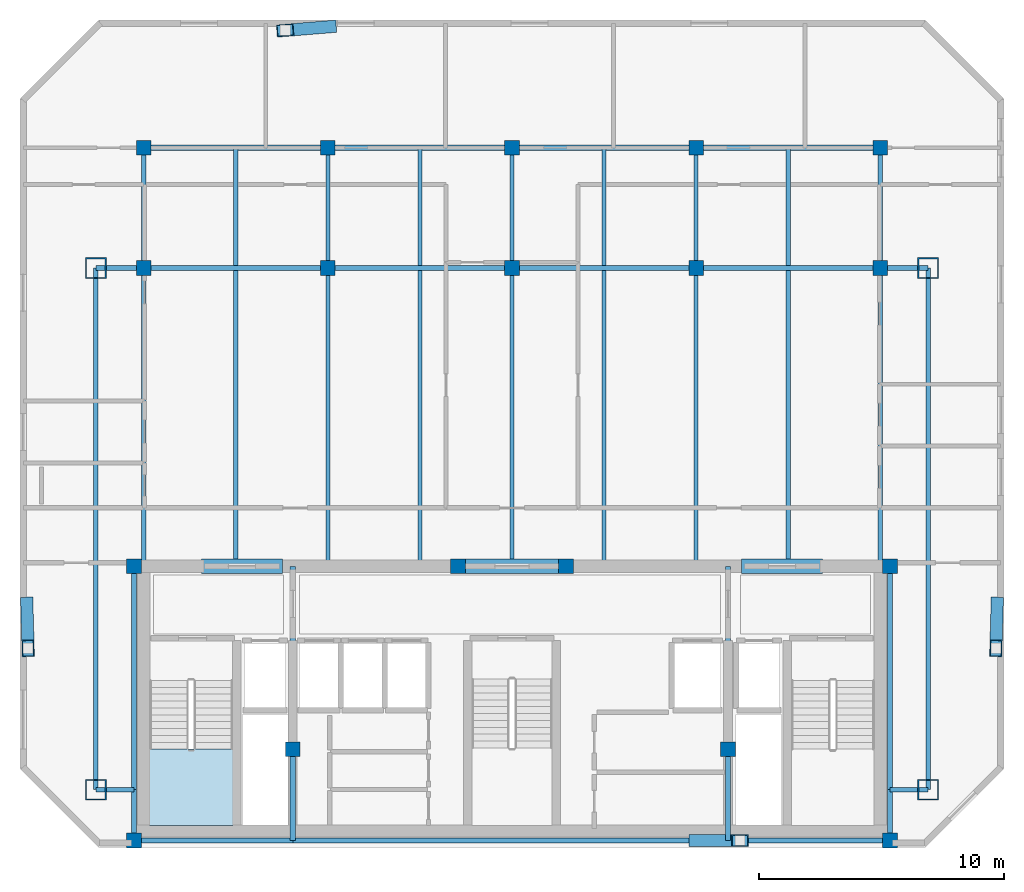
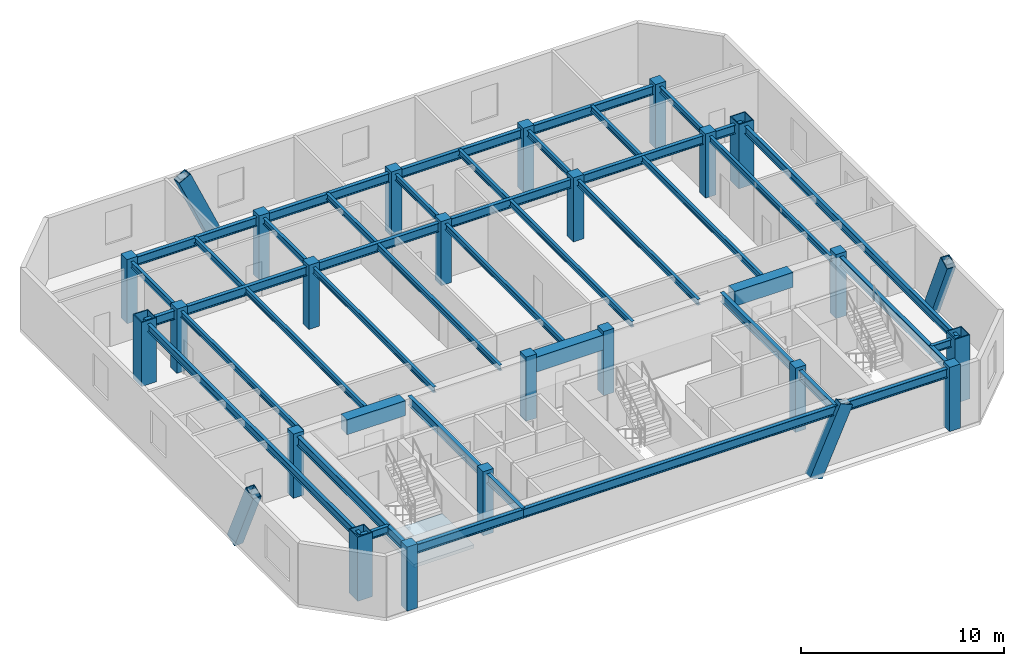
# One storey, part 1 of 6: 46 beams, 22 columns, 4 members, 1 slab, 1 element without a shape of its own.
"""IFC4 building model written with IfcOpenShell, lengths in metres."""

from ifc_helpers import new_model, si_unit, direction, frame, origin, origin_2d, place, context, subcontext, project, spatial, polyline, rectangle, hollow_rectangle, i_section, outline, extrude, material, layer, layer_set, material_profile, profile_set, type_object, element, aggregate, save


model = new_model("IFC4")

# Units and contexts
model_context = context("Model", 3, precision=1e-05, world=origin(), true_north=direction((0.0, 1.0)))
body_context = subcontext(model_context, "Body", "Model", "MODEL_VIEW")
ifc_project = project(units=[si_unit("LENGTHUNIT", "METRE"), si_unit("AREAUNIT", "SQUARE_METRE"), si_unit("VOLUMEUNIT", "CUBIC_METRE"), si_unit("PLANEANGLEUNIT", "RADIAN"), si_unit("MASSUNIT", "GRAM", prefix="KILO")], contexts=[model_context])

# Site, building, storey
site_placement = place(None, origin())
site = spatial("IfcSite", under=ifc_project, at=site_placement, CompositionType="ELEMENT")
building_placement = place(site_placement, origin())
building = spatial("IfcBuilding", under=site, at=building_placement, Name="Ventersveld Concourse Tower", CompositionType="ELEMENT")
storey_placement = place(building_placement, frame((0.0, 0.0, 300.300048828125)))
storey = spatial("IfcBuildingStorey", under=building, at=storey_placement, Name="L74", CompositionType="ELEMENT", Elevation=300.300048828125)

# Columns
ifc_material_1 = material(Name="Concrete C50/60", Category="concrete")
ifc_material_profile_1 = material_profile(ifc_material_1, rectangle(XDim=0.60009765625, YDim=0.60009765625, at=origin_2d()), Name="RC 600x600")
ifc_profile_set_1 = profile_set([ifc_material_profile_1], Name="Concrete C50/60")
column_type_1 = type_object("IfcColumnType", Name="COL-RC600", PredefinedType="COLUMN", material=ifc_profile_set_1)
for number, where, z_axis, x_axis, name in (
    (1, (13.35009765625, 0.280029296875, 0.0), (0.0, 0.0, 1.0), (1.0, 0.0, 0.0), "L74 Core Spine Column CC-SW"),
    (2, (44.14990234375, 0.280029296875, 0.0), (0.0, 0.0, 1.0), (1.0, 0.0, 0.0), "L74 Core Spine Column CC-SE"),
    (3, (13.35009765625, 11.449951171875, 0.0), (0.0, 0.0, 1.0), (1.0, 0.0, 0.0), "L74 Core Spine Column CC-NW"),
    (4, (44.14990234375, 11.449951171875, 0.0), (0.0, 0.0, 1.0), (1.0, 0.0, 0.0), "L74 Core Spine Column CC-NE"),
    (5, (19.820068359375, 4.0, 0.0), (0.0, 0.0, 1.0), (1.0, 0.0, 0.0), "L74 Core Spine Column CM-1"),
    (6, (37.550048828125, 4.0, 0.0), (0.0, 0.0, 1.0), (1.0, 0.0, 0.0), "L74 Core Spine Column CM-2"),
    (7, (26.550048828125, 11.449951171875, 0.0), (0.0, 0.0, 1.0), (1.0, 0.0, 0.0), "L74 Core Spine Column CM-3"),
    (8, (30.949951171875, 11.449951171875, 0.0), (0.0, 0.0, 1.0), (1.0, 0.0, 0.0), "L74 Core Spine Column CM-4"),
    (9, (13.75, 23.60009765625, 0.0), (0.0, 0.0, 1.0), (1.0, 0.0, 0.0), "L74 Interior Gravity Column X=13.75 Y=23.60"),
    (10, (21.25, 23.60009765625, 0.0), (0.0, 0.0, 1.0), (1.0, 0.0, 0.0), "L74 Interior Gravity Column X=21.25 Y=23.60"),
    (11, (28.75, 23.60009765625, 0.0), (0.0, 0.0, 1.0), (1.0, 0.0, 0.0), "L74 Interior Gravity Column X=28.75 Y=23.60"),
    (12, (36.25, 23.60009765625, 0.0), (0.0, 0.0, 1.0), (1.0, 0.0, 0.0), "L74 Interior Gravity Column X=36.25 Y=23.60"),
    (13, (43.75, 23.60009765625, 0.0), (0.0, 0.0, 1.0), (1.0, 0.0, 0.0), "L74 Interior Gravity Column X=43.75 Y=23.60"),
    (14, (13.75, 28.5, 0.0), (0.0, 0.0, 1.0), (1.0, 0.0, 0.0), "L74 Upper-North Gravity Column X=13.75 Y=28.50"),
    (15, (21.25, 28.5, 0.0), (0.0, 0.0, 1.0), (1.0, 0.0, 0.0), "L74 Upper-North Gravity Column X=21.25 Y=28.50"),
    (16, (28.75, 28.5, 0.0), (0.0, 0.0, 1.0), (1.0, 0.0, 0.0), "L74 Upper-North Gravity Column X=28.75 Y=28.50"),
    (17, (36.25, 28.5, 0.0), (0.0, 0.0, 1.0), (1.0, 0.0, 0.0), "L74 Upper-North Gravity Column X=36.25 Y=28.50"),
    (18, (43.75, 28.5, 0.0), (0.0, 0.0, 1.0), (1.0, 0.0, 0.0), "L74 Upper-North Gravity Column X=43.75 Y=28.50"),
):
    element("IfcColumn", number, at=place(storey_placement, frame(where, z_axis=z_axis, x_axis=x_axis)), inside=storey, type_object=column_type_1, Name=name, PredefinedType="COLUMN", context=body_context, shape_type="SweptSolid", body=[
        extrude(rectangle(XDim=0.60009765625, YDim=0.60009765625, at=origin_2d()), origin(), (0.0, 0.0, 1.0), 3.849853515625),
    ])
ifc_material_2 = material(Name="Structural steel S460ML", Category="steel")
ifc_material_profile_2 = material_profile(ifc_material_2, hollow_rectangle(XDim=0.85009765625, YDim=0.85009765625, WallThickness=0.050048828125, at=origin_2d()), Name="BOX 850x850x50")
ifc_profile_set_2 = profile_set([ifc_material_profile_2], Name="Structural steel S460ML")
column_type_2 = type_object("IfcColumnType", Name="MC-850", PredefinedType="USERDEFINED", material=ifc_profile_set_2)
for number, where, z_axis, x_axis, name in (
    (19, (11.800048828125, 2.35009765625, 0.0), (0.0, 0.0, 1.0), (1.0, 0.0, 0.0), "L74 Corner Mega-Column MC-SW"),
    (20, (45.699951171875, 2.35009765625, 0.0), (0.0, 0.0, 1.0), (1.0, 0.0, 0.0), "L74 Corner Mega-Column MC-SE"),
    (21, (45.699951171875, 23.60009765625, 0.0), (0.0, 0.0, 1.0), (1.0, 0.0, 0.0), "L74 Corner Mega-Column MC-NE"),
    (22, (11.800048828125, 23.60009765625, 0.0), (0.0, 0.0, 1.0), (1.0, 0.0, 0.0), "L74 Corner Mega-Column MC-NW"),
):
    element("IfcColumn", number, at=place(storey_placement, frame(where, z_axis=z_axis, x_axis=x_axis)), inside=storey, type_object=column_type_2, Name=name, ObjectType="MEGA_COLUMN", PredefinedType="USERDEFINED", context=body_context, shape_type="SweptSolid", body=[
        extrude(hollow_rectangle(XDim=0.85009765625, YDim=0.85009765625, WallThickness=0.050048828125, at=origin_2d()), origin(), (0.0, 0.0, 1.0), 3.849853515625),
    ])

# Beams
ifc_material_3 = material(Name="Structural steel S355J2", Category="steel")
ifc_material_profile_3 = material_profile(ifc_material_3, i_section(OverallWidth=0.17138671875, OverallDepth=0.35498046875, WebThickness=0.00732421875, FlangeThickness=0.011474609375, FilletRadius=0.01025390625, at=origin_2d()), Name="UB 356x171x51")
ifc_profile_set_3 = profile_set([ifc_material_profile_3], Name="Structural steel S355J2")
beam_type_1 = type_object("IfcBeamType", Name="BM-UB356", PredefinedType="BEAM", material=ifc_profile_set_3)
beam_1_placement = place(storey_placement, frame((13.75, 11.449951171875, 3.472412109375), z_axis=(0.0, 1.0, 0.0), x_axis=(-1.0, 0.0, 0.0)))
element("IfcBeam", 23, at=beam_1_placement, inside=storey, type_object=beam_type_1, Name="L74 N-S Composite Floor Beam South X=13.75", PredefinedType="BEAM", context=body_context, shape_type="SweptSolid", body=[
    extrude(i_section(OverallWidth=0.17138671875, OverallDepth=0.35498046875, WebThickness=0.00732421875, FlangeThickness=0.011474609375, FilletRadius=0.01025390625, at=origin_2d()), origin(), (0.0, 0.0, 1.0), 12.150146484375),
])
beam_2_placement = place(storey_placement, frame((13.75, 23.60009765625, 3.472412109375), z_axis=(0.0, 1.0, 0.0), x_axis=(-1.0, 0.0, 0.0)))
element("IfcBeam", 24, at=beam_2_placement, inside=storey, type_object=beam_type_1, Name="L74 N-S Upper-Zone Floor Beam X=13.75", PredefinedType="BEAM", context=body_context, shape_type="SweptSolid", body=[
    extrude(i_section(OverallWidth=0.17138671875, OverallDepth=0.35498046875, WebThickness=0.00732421875, FlangeThickness=0.011474609375, FilletRadius=0.01025390625, at=origin_2d()), origin(), (0.0, 0.0, 1.0), 4.89990234375),
])
beam_3_placement = place(storey_placement, frame((17.5, 11.449951171875, 3.472412109375), z_axis=(0.0, 1.0, 0.0), x_axis=(-1.0, 0.0, 0.0)))
element("IfcBeam", 25, at=beam_3_placement, inside=storey, type_object=beam_type_1, Name="L74 N-S Composite Floor Beam South X=17.50", PredefinedType="BEAM", context=body_context, shape_type="SweptSolid", body=[
    extrude(i_section(OverallWidth=0.17138671875, OverallDepth=0.35498046875, WebThickness=0.00732421875, FlangeThickness=0.011474609375, FilletRadius=0.01025390625, at=origin_2d()), origin(), (0.0, 0.0, 1.0), 12.054931640625),
])
beam_4_placement = place(storey_placement, frame((17.5, 23.695068359375, 3.472412109375), z_axis=(0.0, 1.0, 0.0), x_axis=(-1.0, 0.0, 0.0)))
element("IfcBeam", 26, at=beam_4_placement, inside=storey, type_object=beam_type_1, Name="L74 N-S Upper-Zone Floor Beam X=17.50", PredefinedType="BEAM", context=body_context, shape_type="SweptSolid", body=[
    extrude(i_section(OverallWidth=0.17138671875, OverallDepth=0.35498046875, WebThickness=0.00732421875, FlangeThickness=0.011474609375, FilletRadius=0.01025390625, at=origin_2d()), origin(), (0.0, 0.0, 1.0), 4.804931640625),
])
beam_5_placement = place(storey_placement, frame((21.25, 11.449951171875, 3.472412109375), z_axis=(0.0, 1.0, 0.0), x_axis=(-1.0, 0.0, 0.0)))
element("IfcBeam", 27, at=beam_5_placement, inside=storey, type_object=beam_type_1, Name="L74 N-S Composite Floor Beam South X=21.25", PredefinedType="BEAM", context=body_context, shape_type="SweptSolid", body=[
    extrude(i_section(OverallWidth=0.17138671875, OverallDepth=0.35498046875, WebThickness=0.00732421875, FlangeThickness=0.011474609375, FilletRadius=0.01025390625, at=origin_2d()), origin(), (0.0, 0.0, 1.0), 12.150146484375),
])
beam_6_placement = place(storey_placement, frame((21.25, 23.60009765625, 3.472412109375), z_axis=(0.0, 1.0, 0.0), x_axis=(-1.0, 0.0, 0.0)))
element("IfcBeam", 28, at=beam_6_placement, inside=storey, type_object=beam_type_1, Name="L74 N-S Upper-Zone Floor Beam X=21.25", PredefinedType="BEAM", context=body_context, shape_type="SweptSolid", body=[
    extrude(i_section(OverallWidth=0.17138671875, OverallDepth=0.35498046875, WebThickness=0.00732421875, FlangeThickness=0.011474609375, FilletRadius=0.01025390625, at=origin_2d()), origin(), (0.0, 0.0, 1.0), 4.89990234375),
])
beam_7_placement = place(storey_placement, frame((25.0, 11.449951171875, 3.472412109375), z_axis=(0.0, 1.0, 0.0), x_axis=(-1.0, 0.0, 0.0)))
element("IfcBeam", 29, at=beam_7_placement, inside=storey, type_object=beam_type_1, Name="L74 N-S Composite Floor Beam South X=25.00", PredefinedType="BEAM", context=body_context, shape_type="SweptSolid", body=[
    extrude(i_section(OverallWidth=0.17138671875, OverallDepth=0.35498046875, WebThickness=0.00732421875, FlangeThickness=0.011474609375, FilletRadius=0.01025390625, at=origin_2d()), origin(), (0.0, 0.0, 1.0), 12.054931640625),
])
beam_8_placement = place(storey_placement, frame((25.0, 23.695068359375, 3.472412109375), z_axis=(0.0, 1.0, 0.0), x_axis=(-1.0, 0.0, 0.0)))
element("IfcBeam", 30, at=beam_8_placement, inside=storey, type_object=beam_type_1, Name="L74 N-S Upper-Zone Floor Beam X=25.00", PredefinedType="BEAM", context=body_context, shape_type="SweptSolid", body=[
    extrude(i_section(OverallWidth=0.17138671875, OverallDepth=0.35498046875, WebThickness=0.00732421875, FlangeThickness=0.011474609375, FilletRadius=0.01025390625, at=origin_2d()), origin(), (0.0, 0.0, 1.0), 4.804931640625),
])
beam_9_placement = place(storey_placement, frame((28.75, 11.449951171875, 3.472412109375), z_axis=(0.0, 1.0, 0.0), x_axis=(-1.0, 0.0, 0.0)))
element("IfcBeam", 31, at=beam_9_placement, inside=storey, type_object=beam_type_1, Name="L74 N-S Composite Floor Beam South X=28.75", PredefinedType="BEAM", context=body_context, shape_type="SweptSolid", body=[
    extrude(i_section(OverallWidth=0.17138671875, OverallDepth=0.35498046875, WebThickness=0.00732421875, FlangeThickness=0.011474609375, FilletRadius=0.01025390625, at=origin_2d()), origin(), (0.0, 0.0, 1.0), 12.150146484375),
])
beam_10_placement = place(storey_placement, frame((28.75, 23.60009765625, 3.472412109375), z_axis=(0.0, 1.0, 0.0), x_axis=(-1.0, 0.0, 0.0)))
element("IfcBeam", 32, at=beam_10_placement, inside=storey, type_object=beam_type_1, Name="L74 N-S Upper-Zone Floor Beam X=28.75", PredefinedType="BEAM", context=body_context, shape_type="SweptSolid", body=[
    extrude(i_section(OverallWidth=0.17138671875, OverallDepth=0.35498046875, WebThickness=0.00732421875, FlangeThickness=0.011474609375, FilletRadius=0.01025390625, at=origin_2d()), origin(), (0.0, 0.0, 1.0), 4.89990234375),
])
beam_11_placement = place(storey_placement, frame((32.5, 11.449951171875, 3.472412109375), z_axis=(0.0, 1.0, 0.0), x_axis=(-1.0, 0.0, 0.0)))
element("IfcBeam", 33, at=beam_11_placement, inside=storey, type_object=beam_type_1, Name="L74 N-S Composite Floor Beam South X=32.50", PredefinedType="BEAM", context=body_context, shape_type="SweptSolid", body=[
    extrude(i_section(OverallWidth=0.17138671875, OverallDepth=0.35498046875, WebThickness=0.00732421875, FlangeThickness=0.011474609375, FilletRadius=0.01025390625, at=origin_2d()), origin(), (0.0, 0.0, 1.0), 12.054931640625),
])
beam_12_placement = place(storey_placement, frame((32.5, 23.695068359375, 3.472412109375), z_axis=(0.0, 1.0, 0.0), x_axis=(-1.0, 0.0, 0.0)))
element("IfcBeam", 34, at=beam_12_placement, inside=storey, type_object=beam_type_1, Name="L74 N-S Upper-Zone Floor Beam X=32.50", PredefinedType="BEAM", context=body_context, shape_type="SweptSolid", body=[
    extrude(i_section(OverallWidth=0.17138671875, OverallDepth=0.35498046875, WebThickness=0.00732421875, FlangeThickness=0.011474609375, FilletRadius=0.01025390625, at=origin_2d()), origin(), (0.0, 0.0, 1.0), 4.804931640625),
])
beam_13_placement = place(storey_placement, frame((36.25, 11.449951171875, 3.472412109375), z_axis=(0.0, 1.0, 0.0), x_axis=(-1.0, 0.0, 0.0)))
element("IfcBeam", 35, at=beam_13_placement, inside=storey, type_object=beam_type_1, Name="L74 N-S Composite Floor Beam South X=36.25", PredefinedType="BEAM", context=body_context, shape_type="SweptSolid", body=[
    extrude(i_section(OverallWidth=0.17138671875, OverallDepth=0.35498046875, WebThickness=0.00732421875, FlangeThickness=0.011474609375, FilletRadius=0.01025390625, at=origin_2d()), origin(), (0.0, 0.0, 1.0), 12.150146484375),
])
beam_14_placement = place(storey_placement, frame((36.25, 23.60009765625, 3.472412109375), z_axis=(0.0, 1.0, 0.0), x_axis=(-1.0, 0.0, 0.0)))
element("IfcBeam", 36, at=beam_14_placement, inside=storey, type_object=beam_type_1, Name="L74 N-S Upper-Zone Floor Beam X=36.25", PredefinedType="BEAM", context=body_context, shape_type="SweptSolid", body=[
    extrude(i_section(OverallWidth=0.17138671875, OverallDepth=0.35498046875, WebThickness=0.00732421875, FlangeThickness=0.011474609375, FilletRadius=0.01025390625, at=origin_2d()), origin(), (0.0, 0.0, 1.0), 4.89990234375),
])
beam_15_placement = place(storey_placement, frame((40.0, 11.449951171875, 3.472412109375), z_axis=(0.0, 1.0, 0.0), x_axis=(-1.0, 0.0, 0.0)))
element("IfcBeam", 37, at=beam_15_placement, inside=storey, type_object=beam_type_1, Name="L74 N-S Composite Floor Beam South X=40.00", PredefinedType="BEAM", context=body_context, shape_type="SweptSolid", body=[
    extrude(i_section(OverallWidth=0.17138671875, OverallDepth=0.35498046875, WebThickness=0.00732421875, FlangeThickness=0.011474609375, FilletRadius=0.01025390625, at=origin_2d()), origin(), (0.0, 0.0, 1.0), 12.054931640625),
])
beam_16_placement = place(storey_placement, frame((40.0, 23.695068359375, 3.472412109375), z_axis=(0.0, 1.0, 0.0), x_axis=(-1.0, 0.0, 0.0)))
element("IfcBeam", 38, at=beam_16_placement, inside=storey, type_object=beam_type_1, Name="L74 N-S Upper-Zone Floor Beam X=40.00", PredefinedType="BEAM", context=body_context, shape_type="SweptSolid", body=[
    extrude(i_section(OverallWidth=0.17138671875, OverallDepth=0.35498046875, WebThickness=0.00732421875, FlangeThickness=0.011474609375, FilletRadius=0.01025390625, at=origin_2d()), origin(), (0.0, 0.0, 1.0), 4.804931640625),
])
beam_17_placement = place(storey_placement, frame((43.75, 11.449951171875, 3.472412109375), z_axis=(0.0, 1.0, 0.0), x_axis=(-1.0, 0.0, 0.0)))
element("IfcBeam", 39, at=beam_17_placement, inside=storey, type_object=beam_type_1, Name="L74 N-S Composite Floor Beam South X=43.75", PredefinedType="BEAM", context=body_context, shape_type="SweptSolid", body=[
    extrude(i_section(OverallWidth=0.17138671875, OverallDepth=0.35498046875, WebThickness=0.00732421875, FlangeThickness=0.011474609375, FilletRadius=0.01025390625, at=origin_2d()), origin(), (0.0, 0.0, 1.0), 12.150146484375),
])
beam_18_placement = place(storey_placement, frame((43.75, 23.60009765625, 3.472412109375), z_axis=(0.0, 1.0, 0.0), x_axis=(-1.0, 0.0, 0.0)))
element("IfcBeam", 40, at=beam_18_placement, inside=storey, type_object=beam_type_1, Name="L74 N-S Upper-Zone Floor Beam X=43.75", PredefinedType="BEAM", context=body_context, shape_type="SweptSolid", body=[
    extrude(i_section(OverallWidth=0.17138671875, OverallDepth=0.35498046875, WebThickness=0.00732421875, FlangeThickness=0.011474609375, FilletRadius=0.01025390625, at=origin_2d()), origin(), (0.0, 0.0, 1.0), 4.89990234375),
])
ifc_material_profile_4 = material_profile(ifc_material_1, rectangle(XDim=0.60009765625, YDim=0.89990234375, at=origin_2d()), Name="RC 600x900")
ifc_profile_set_4 = profile_set([ifc_material_profile_4], Name="Concrete C50/60")
beam_type_2 = type_object("IfcBeamType", Name="CB-RC600x900U", PredefinedType="LINTEL", material=ifc_profile_set_4)
beam_19_placement = place(storey_placement, frame((16.10009765625, 11.449951171875, 3.199951171875), z_axis=(1.0, 0.0, 0.0), x_axis=(0.0, 1.0, 0.0)))
element("IfcBeam", 41, at=beam_19_placement, inside=storey, type_object=beam_type_2, Name="L74 Core Coupling Lintel Beam 1", PredefinedType="LINTEL", context=body_context, shape_type="SweptSolid", body=[
    extrude(rectangle(XDim=0.60009765625, YDim=0.89990234375, at=origin_2d()), origin(), (0.0, 0.0, 1.0), 3.2998046875),
])
beam_20_placement = place(storey_placement, frame((26.5, 11.449951171875, 3.199951171875), z_axis=(1.0, 0.0, 0.0), x_axis=(0.0, 1.0, 0.0)))
element("IfcBeam", 42, at=beam_20_placement, inside=storey, type_object=beam_type_2, Name="L74 Core Coupling Lintel Beam 2", PredefinedType="LINTEL", context=body_context, shape_type="SweptSolid", body=[
    extrude(rectangle(XDim=0.60009765625, YDim=0.89990234375, at=origin_2d()), origin(), (0.0, 0.0, 1.0), 4.5),
])
beam_21_placement = place(storey_placement, frame((38.10009765625, 11.449951171875, 3.199951171875), z_axis=(1.0, 0.0, 0.0), x_axis=(0.0, 1.0, 0.0)))
element("IfcBeam", 43, at=beam_21_placement, inside=storey, type_object=beam_type_2, Name="L74 Core Coupling Lintel Beam 3", PredefinedType="LINTEL", context=body_context, shape_type="SweptSolid", body=[
    extrude(rectangle(XDim=0.60009765625, YDim=0.89990234375, at=origin_2d()), origin(), (0.0, 0.0, 1.0), 3.2998046875),
])
ifc_material_profile_5 = material_profile(ifc_material_3, i_section(OverallWidth=0.209228515625, OverallDepth=0.533203125, WebThickness=0.010009765625, FlangeThickness=0.015625, FilletRadius=0.0126953125, at=origin_2d()), Name="UB 533x210x92")
ifc_profile_set_5 = profile_set([ifc_material_profile_5], Name="Structural steel S355J2")
beam_type_3 = type_object("IfcBeamType", Name="GRD-UB533", PredefinedType="T_BEAM", material=ifc_profile_set_5)
beam_22_placement = place(storey_placement, frame((11.800048828125, 23.60009765625, 3.38330078125), z_axis=(1.0, 0.0, 0.0), x_axis=(0.0, 1.0, 0.0)))
element("IfcBeam", 44, at=beam_22_placement, inside=storey, type_object=beam_type_3, Name="L74 Primary E-W Grid Girder Y=23.60 #1", PredefinedType="T_BEAM", context=body_context, shape_type="SweptSolid", body=[
    extrude(i_section(OverallWidth=0.209228515625, OverallDepth=0.533203125, WebThickness=0.010009765625, FlangeThickness=0.015625, FilletRadius=0.0126953125, at=origin_2d()), origin(), (0.0, 0.0, 1.0), 1.949951171875),
])
for number, where, z_axis, x_axis, name in (
    (45, (13.75, 23.60009765625, 3.38330078125), (1.0, 0.0, 0.0), (0.0, 1.0, 0.0), "L74 Primary E-W Grid Girder Y=23.60 #2"),
    (46, (21.25, 23.60009765625, 3.38330078125), (1.0, 0.0, 0.0), (0.0, 1.0, 0.0), "L74 Primary E-W Grid Girder Y=23.60 #3"),
    (47, (28.75, 23.60009765625, 3.38330078125), (1.0, 0.0, 0.0), (0.0, 1.0, 0.0), "L74 Primary E-W Grid Girder Y=23.60 #4"),
    (48, (36.25, 23.60009765625, 3.38330078125), (1.0, 0.0, 0.0), (0.0, 1.0, 0.0), "L74 Primary E-W Grid Girder Y=23.60 #5"),
):
    element("IfcBeam", number, at=place(storey_placement, frame(where, z_axis=z_axis, x_axis=x_axis)), inside=storey, type_object=beam_type_3, Name=name, PredefinedType="T_BEAM", context=body_context, shape_type="SweptSolid", body=[
        extrude(i_section(OverallWidth=0.209228515625, OverallDepth=0.533203125, WebThickness=0.010009765625, FlangeThickness=0.015625, FilletRadius=0.0126953125, at=origin_2d()), origin(), (0.0, 0.0, 1.0), 7.5),
    ])
beam_23_placement = place(storey_placement, frame((43.75, 23.60009765625, 3.38330078125), z_axis=(1.0, 0.0, 0.0), x_axis=(0.0, 1.0, 0.0)))
element("IfcBeam", 49, at=beam_23_placement, inside=storey, type_object=beam_type_3, Name="L74 Primary E-W Grid Girder Y=23.60 #6", PredefinedType="T_BEAM", context=body_context, shape_type="SweptSolid", body=[
    extrude(i_section(OverallWidth=0.209228515625, OverallDepth=0.533203125, WebThickness=0.010009765625, FlangeThickness=0.015625, FilletRadius=0.0126953125, at=origin_2d()), origin(), (0.0, 0.0, 1.0), 1.949951171875),
])
for number, where, z_axis, x_axis, name in (
    (50, (13.75, 28.5, 3.38330078125), (1.0, 0.0, 0.0), (0.0, 1.0, 0.0), "L74 Upper-North E-W Girder Y=28.50 #1"),
    (51, (21.25, 28.5, 3.38330078125), (1.0, 0.0, 0.0), (0.0, 1.0, 0.0), "L74 Upper-North E-W Girder Y=28.50 #2"),
    (52, (28.75, 28.5, 3.38330078125), (1.0, 0.0, 0.0), (0.0, 1.0, 0.0), "L74 Upper-North E-W Girder Y=28.50 #3"),
    (53, (36.25, 28.5, 3.38330078125), (1.0, 0.0, 0.0), (0.0, 1.0, 0.0), "L74 Upper-North E-W Girder Y=28.50 #4"),
):
    element("IfcBeam", number, at=place(storey_placement, frame(where, z_axis=z_axis, x_axis=x_axis)), inside=storey, type_object=beam_type_3, Name=name, PredefinedType="T_BEAM", context=body_context, shape_type="SweptSolid", body=[
        extrude(i_section(OverallWidth=0.209228515625, OverallDepth=0.533203125, WebThickness=0.010009765625, FlangeThickness=0.015625, FilletRadius=0.0126953125, at=origin_2d()), origin(), (0.0, 0.0, 1.0), 7.5),
    ])
ifc_material_profile_6 = material_profile(ifc_material_3, i_section(OverallWidth=0.2119140625, OverallDepth=0.54443359375, WebThickness=0.0126953125, FlangeThickness=0.021240234375, FilletRadius=0.0126953125, at=origin_2d()), Name="UB 533x210x122")
ifc_profile_set_6 = profile_set([ifc_material_profile_6], Name="Structural steel S355J2")
beam_type_4 = type_object("IfcBeamType", Name="GRD-UB533H", PredefinedType="T_BEAM", material=ifc_profile_set_6)
beam_24_placement = place(storey_placement, frame((13.35009765625, 0.280029296875, 3.377685546875), z_axis=(0.0, 1.0, 0.0), x_axis=(-1.0, 0.0, 0.0)))
element("IfcBeam", 54, at=beam_24_placement, inside=storey, type_object=beam_type_4, Name="L74 Core West Tie Beam S", PredefinedType="T_BEAM", context=body_context, shape_type="SweptSolid", body=[
    extrude(i_section(OverallWidth=0.2119140625, OverallDepth=0.54443359375, WebThickness=0.0126953125, FlangeThickness=0.021240234375, FilletRadius=0.0126953125, at=origin_2d()), origin(), (0.0, 0.0, 1.0), 2.070068359375),
])
beam_25_placement = place(storey_placement, frame((13.35009765625, 2.35009765625, 3.377685546875), z_axis=(0.0, 1.0, 0.0), x_axis=(-1.0, 0.0, 0.0)))
element("IfcBeam", 55, at=beam_25_placement, inside=storey, type_object=beam_type_4, Name="L74 Core West Tie Beam N", PredefinedType="T_BEAM", context=body_context, shape_type="SweptSolid", body=[
    extrude(i_section(OverallWidth=0.2119140625, OverallDepth=0.54443359375, WebThickness=0.0126953125, FlangeThickness=0.021240234375, FilletRadius=0.0126953125, at=origin_2d()), origin(), (0.0, 0.0, 1.0), 9.099853515625),
])
beam_26_placement = place(storey_placement, frame((44.14990234375, 0.280029296875, 3.377685546875), z_axis=(0.0, 1.0, 0.0), x_axis=(-1.0, 0.0, 0.0)))
element("IfcBeam", 56, at=beam_26_placement, inside=storey, type_object=beam_type_4, Name="L74 Core East Tie Beam S", PredefinedType="T_BEAM", context=body_context, shape_type="SweptSolid", body=[
    extrude(i_section(OverallWidth=0.2119140625, OverallDepth=0.54443359375, WebThickness=0.0126953125, FlangeThickness=0.021240234375, FilletRadius=0.0126953125, at=origin_2d()), origin(), (0.0, 0.0, 1.0), 2.070068359375),
])
beam_27_placement = place(storey_placement, frame((44.14990234375, 2.35009765625, 3.377685546875), z_axis=(0.0, 1.0, 0.0), x_axis=(-1.0, 0.0, 0.0)))
element("IfcBeam", 57, at=beam_27_placement, inside=storey, type_object=beam_type_4, Name="L74 Core East Tie Beam N", PredefinedType="T_BEAM", context=body_context, shape_type="SweptSolid", body=[
    extrude(i_section(OverallWidth=0.2119140625, OverallDepth=0.54443359375, WebThickness=0.0126953125, FlangeThickness=0.021240234375, FilletRadius=0.0126953125, at=origin_2d()), origin(), (0.0, 0.0, 1.0), 9.099853515625),
])
beam_28_placement = place(storey_placement, frame((13.35009765625, 0.280029296875, 3.377685546875), z_axis=(1.0, 0.0, 0.0), x_axis=(0.0, 1.0, 0.0)))
element("IfcBeam", 58, at=beam_28_placement, inside=storey, type_object=beam_type_4, Name="L74 Core South Tie Beam W", PredefinedType="T_BEAM", context=body_context, shape_type="SweptSolid", body=[
    extrude(i_section(OverallWidth=0.2119140625, OverallDepth=0.54443359375, WebThickness=0.0126953125, FlangeThickness=0.021240234375, FilletRadius=0.0126953125, at=origin_2d()), origin(), (0.0, 0.0, 1.0), 6.469970703125),
])
beam_29_placement = place(storey_placement, frame((19.820068359375, 0.280029296875, 3.377685546875), z_axis=(1.0, 0.0, 0.0), x_axis=(0.0, 1.0, 0.0)))
element("IfcBeam", 59, at=beam_29_placement, inside=storey, type_object=beam_type_4, Name="L74 Core South Tie Beam C", PredefinedType="T_BEAM", context=body_context, shape_type="SweptSolid", body=[
    extrude(i_section(OverallWidth=0.2119140625, OverallDepth=0.54443359375, WebThickness=0.0126953125, FlangeThickness=0.021240234375, FilletRadius=0.0126953125, at=origin_2d()), origin(), (0.0, 0.0, 1.0), 17.72998046875),
])
beam_30_placement = place(storey_placement, frame((37.550048828125, 0.280029296875, 3.377685546875), z_axis=(1.0, 0.0, 0.0), x_axis=(0.0, 1.0, 0.0)))
element("IfcBeam", 60, at=beam_30_placement, inside=storey, type_object=beam_type_4, Name="L74 Core South Tie Beam E", PredefinedType="T_BEAM", context=body_context, shape_type="SweptSolid", body=[
    extrude(i_section(OverallWidth=0.2119140625, OverallDepth=0.54443359375, WebThickness=0.0126953125, FlangeThickness=0.021240234375, FilletRadius=0.0126953125, at=origin_2d()), origin(), (0.0, 0.0, 1.0), 6.599853515625),
])
beam_31_placement = place(storey_placement, frame((19.820068359375, 0.280029296875, 3.377685546875), z_axis=(0.0, 1.0, 0.0), x_axis=(-1.0, 0.0, 0.0)))
element("IfcBeam", 61, at=beam_31_placement, inside=storey, type_object=beam_type_4, Name="L74 Core Spine N-S Tie Beam W1", PredefinedType="T_BEAM", context=body_context, shape_type="SweptSolid", body=[
    extrude(i_section(OverallWidth=0.2119140625, OverallDepth=0.54443359375, WebThickness=0.0126953125, FlangeThickness=0.021240234375, FilletRadius=0.0126953125, at=origin_2d()), origin(), (0.0, 0.0, 1.0), 3.719970703125),
])
beam_32_placement = place(storey_placement, frame((19.820068359375, 4.0, 3.377685546875), z_axis=(0.0, 1.0, 0.0), x_axis=(-1.0, 0.0, 0.0)))
element("IfcBeam", 62, at=beam_32_placement, inside=storey, type_object=beam_type_4, Name="L74 Core Spine N-S Tie Beam W2", PredefinedType="T_BEAM", context=body_context, shape_type="SweptSolid", body=[
    extrude(i_section(OverallWidth=0.2119140625, OverallDepth=0.54443359375, WebThickness=0.0126953125, FlangeThickness=0.021240234375, FilletRadius=0.0126953125, at=origin_2d()), origin(), (0.0, 0.0, 1.0), 7.449951171875),
])
beam_33_placement = place(storey_placement, frame((37.550048828125, 0.280029296875, 3.377685546875), z_axis=(0.0, 1.0, 0.0), x_axis=(-1.0, 0.0, 0.0)))
element("IfcBeam", 63, at=beam_33_placement, inside=storey, type_object=beam_type_4, Name="L74 Core Spine N-S Tie Beam E1", PredefinedType="T_BEAM", context=body_context, shape_type="SweptSolid", body=[
    extrude(i_section(OverallWidth=0.2119140625, OverallDepth=0.54443359375, WebThickness=0.0126953125, FlangeThickness=0.021240234375, FilletRadius=0.0126953125, at=origin_2d()), origin(), (0.0, 0.0, 1.0), 3.719970703125),
])
beam_34_placement = place(storey_placement, frame((37.550048828125, 4.0, 3.377685546875), z_axis=(0.0, 1.0, 0.0), x_axis=(-1.0, 0.0, 0.0)))
element("IfcBeam", 64, at=beam_34_placement, inside=storey, type_object=beam_type_4, Name="L74 Core Spine N-S Tie Beam E2", PredefinedType="T_BEAM", context=body_context, shape_type="SweptSolid", body=[
    extrude(i_section(OverallWidth=0.2119140625, OverallDepth=0.54443359375, WebThickness=0.0126953125, FlangeThickness=0.021240234375, FilletRadius=0.0126953125, at=origin_2d()), origin(), (0.0, 0.0, 1.0), 7.449951171875),
])

# Members
ifc_material_4 = material(Name="Structural steel S355ML", Category="steel")
ifc_material_profile_7 = material_profile(ifc_material_4, hollow_rectangle(XDim=0.5, YDim=0.75, WallThickness=0.034912109375, at=origin_2d()), Name="BOX 750x500x35")
ifc_profile_set_7 = profile_set([ifc_material_profile_7], Name="Structural steel S355ML")
member_type = type_object("IfcMemberType", Name="MB-750x500", PredefinedType="BRACE", material=ifc_profile_set_7)
member_1_placement = place(storey_placement, frame((21.25, 33.42431640625, -0.199951171875), z_axis=(-0.411519584117, -0.033845680883, 0.910772255711), x_axis=(0.081968848657, -0.996634891949, 0.0)))
element("IfcMember", 65, at=member_1_placement, inside=storey, type_object=member_type, Name="L74 Exterior Mega-Brace N (Module M18)", PredefinedType="BRACE", context=body_context, shape_type="SweptSolid", body=[
    extrude(hollow_rectangle(XDim=0.5, YDim=0.75, WallThickness=0.034912109375, at=origin_2d()), origin(), (0.0, 0.0, 1.0), 4.22705078125),
])
member_2_placement = place(storey_placement, frame((36.300048828125, 0.280029296875, -0.199951171875), z_axis=(0.411755490853, 0.0, 0.911294362844), x_axis=(0.0, 1.0, 0.0)))
element("IfcMember", 66, at=member_2_placement, inside=storey, type_object=member_type, Name="L74 Exterior Mega-Brace S (Module M18)", PredefinedType="BRACE", context=body_context, shape_type="SweptSolid", body=[
    extrude(hollow_rectangle(XDim=0.5, YDim=0.75, WallThickness=0.034912109375, at=origin_2d()), origin(), (0.0, 0.0, 1.0), 4.224609375),
])
for number, where, z_axis, x_axis, name in (
    (67, (8.988525390625, 9.85009765625, -0.199951171875), (0.011730612407, -0.411727159605, 0.911231660324), (0.999594371896, 0.028479671227, 0.0), "L74 Exterior Mega-Brace W (Module M18)"),
    (68, (48.511474609375, 9.85009765625, -0.199951171875), (-0.011730612407, -0.411727159605, 0.911231660324), (0.999594371896, -0.028479671227, 0.0), "L74 Exterior Mega-Brace E (Module M18)"),
):
    element("IfcMember", number, at=place(storey_placement, frame(where, z_axis=z_axis, x_axis=x_axis)), inside=storey, type_object=member_type, Name=name, PredefinedType="BRACE", context=body_context, shape_type="SweptSolid", body=[
        extrude(hollow_rectangle(XDim=0.5, YDim=0.75, WallThickness=0.034912109375, at=origin_2d()), origin(), (0.0, 0.0, 1.0), 4.224853515625),
    ])

# Beams
ifc_material_profile_8 = material_profile(ifc_material_3, i_section(OverallWidth=0.19140625, OverallDepth=0.4599609375, WebThickness=0.010009765625, FlangeThickness=0.01611328125, FilletRadius=0.01025390625, at=origin_2d()), Name="UB 457x191x82")
ifc_profile_set_8 = profile_set([ifc_material_profile_8], Name="Structural steel S355J2")
beam_type_5 = type_object("IfcBeamType", Name="SPD-UB457", PredefinedType="SPANDREL", material=ifc_profile_set_8)
for number, where, z_axis, x_axis, name in (
    (69, (11.800048828125, 2.35009765625, 3.419921875), (1.0, 0.0, 0.0), (0.0, 1.0, 0.0), "L74 SW Spandrel Beam"),
    (70, (44.14990234375, 2.35009765625, 3.419921875), (1.0, 0.0, 0.0), (0.0, 1.0, 0.0), "L74 SE Spandrel Beam"),
):
    element("IfcBeam", number, at=place(storey_placement, frame(where, z_axis=z_axis, x_axis=x_axis)), inside=storey, type_object=beam_type_5, Name=name, PredefinedType="SPANDREL", context=body_context, shape_type="SweptSolid", body=[
        extrude(i_section(OverallWidth=0.19140625, OverallDepth=0.4599609375, WebThickness=0.010009765625, FlangeThickness=0.01611328125, FilletRadius=0.01025390625, at=origin_2d()), origin(), (0.0, 0.0, 1.0), 1.550048828125),
    ])
for number, where, z_axis, x_axis, name in (
    (71, (11.800048828125, 2.35009765625, 3.419921875), (0.0, 1.0, 0.0), (-1.0, 0.0, 0.0), "L74 West Spandrel Beam"),
    (72, (45.699951171875, 2.35009765625, 3.419921875), (0.0, 1.0, 0.0), (-1.0, 0.0, 0.0), "L74 East Spandrel Beam"),
):
    element("IfcBeam", number, at=place(storey_placement, frame(where, z_axis=z_axis, x_axis=x_axis)), inside=storey, type_object=beam_type_5, Name=name, PredefinedType="SPANDREL", context=body_context, shape_type="SweptSolid", body=[
        extrude(i_section(OverallWidth=0.19140625, OverallDepth=0.4599609375, WebThickness=0.010009765625, FlangeThickness=0.01611328125, FilletRadius=0.01025390625, at=origin_2d()), origin(), (0.0, 0.0, 1.0), 21.25),
    ])

# Stair, slab
stair_type = type_object("IfcStairType", Name="ST-DOG-160", PredefinedType="HALF_TURN_STAIR", material=ifc_material_1)
stair_placement = place(storey_placement, origin())
stair = element("IfcStair", 73, at=stair_placement, inside=storey, type_object=stair_type, Name="L74 Protected Tower Escape Stair ST-01", PredefinedType="HALF_TURN_STAIR")
ifc_layer = layer(ifc_material_1, 0.199951171875)
ifc_layer_set = layer_set([ifc_layer], Name="Concrete C50/60")
slab_type = type_object("IfcSlabType", Name="SL-LND-200", PredefinedType="LANDING", material=ifc_layer_set)
slab_placement = place(storey_placement, frame((0.0, 0.0, 1.724853515625)))
slab = element("IfcSlab", 74, at=slab_placement, type_object=slab_type, Name="ST-01 landing 1", PredefinedType="LANDING", context=body_context, shape_type="SweptSolid", body=[
    extrude(outline(polyline([(13.97998046875, 4.0), (13.97998046875, 0.89990234375), (17.3798828125, 0.89990234375), (17.3798828125, 4.0), (13.97998046875, 4.0)])), origin(), (0.0, 0.0, 1.0), 0.2001953125),
])
aggregate(stair, [slab])

save(model, "model.ifc")
